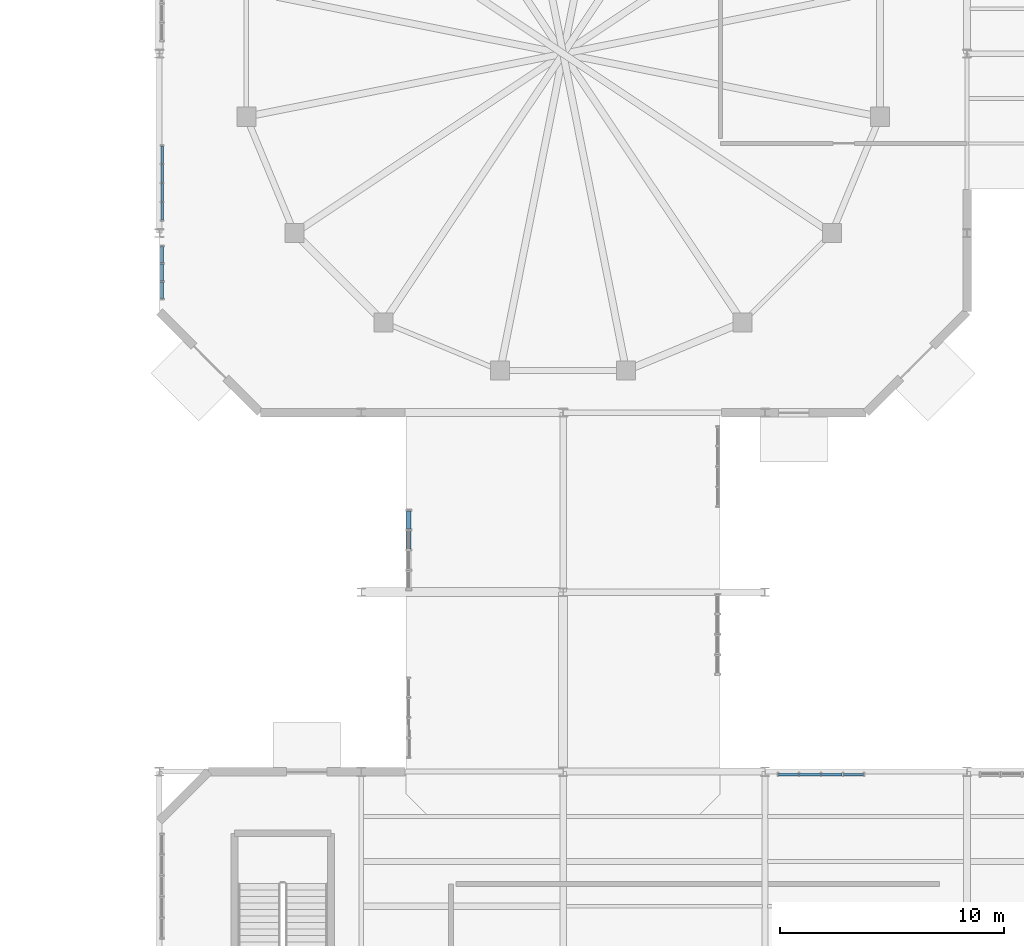
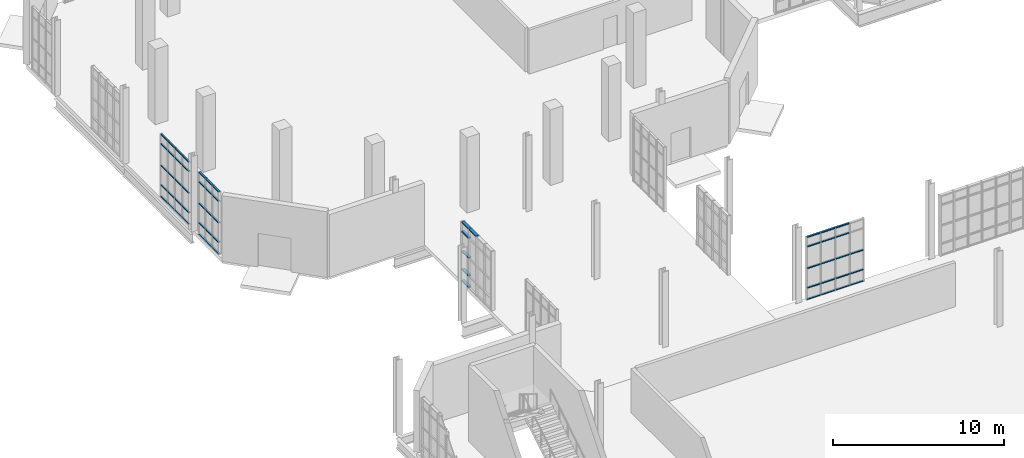
# One storey, part 116 of 189: 59 members, 4 elements without a shape of their own.
"""IFC4 building model written with IfcOpenShell, lengths in metres."""

from ifc_helpers import new_model, si_unit, direction, frame, origin, origin_2d, place, context, subcontext, project, spatial, hollow_rectangle, extrude, material, layer, layer_set, material_profile, profile_set, type_object, element, aggregate, save


model = new_model("IFC4")

# Units and contexts
model_context = context("Model", 3, precision=1e-05, world=origin(), true_north=direction((0.0, 1.0)))
body_context = subcontext(model_context, "Body", "Model", "MODEL_VIEW")
ifc_project = project(units=[si_unit("LENGTHUNIT", "METRE"), si_unit("AREAUNIT", "SQUARE_METRE"), si_unit("VOLUMEUNIT", "CUBIC_METRE"), si_unit("PLANEANGLEUNIT", "RADIAN"), si_unit("MASSUNIT", "GRAM", prefix="KILO"), si_unit("THERMODYNAMICTEMPERATUREUNIT", "KELVIN"), si_unit("POWERUNIT", "WATT")], contexts=[model_context])

# Site, building, storey
site_placement = place(None, origin())
site = spatial("IfcSite", under=ifc_project, at=site_placement, CompositionType="ELEMENT")
building_placement = place(site_placement, origin())
building = spatial("IfcBuilding", under=site, at=building_placement, Name="Zelmaris Science Centre", CompositionType="ELEMENT")
storey_placement = place(building_placement, origin())
storey = spatial("IfcBuildingStorey", under=building, at=storey_placement, Name="L00", CompositionType="ELEMENT", Elevation=0.0)

# Curtain wall, members
ifc_material = material(Name="Anodised architectural aluminium 6063-T6", Category="aluminium")
ifc_layer_1 = layer(ifc_material, 0.219970703125, Name="Anodised architectural aluminium 6063-T6")
ifc_layer_set_1 = layer_set([ifc_layer_1], Name="Anodised architectural aluminium 6063-T6")
curtain_wall_type_1 = type_object("IfcCurtainWallType", Name="Curtain Wall CW-04", PredefinedType="USERDEFINED", material=ifc_layer_set_1)
curtain_wall_1_placement = place(storey_placement, origin())
curtain_wall_1 = element("IfcCurtainWall", 1, at=curtain_wall_1_placement, inside=storey, type_object=curtain_wall_type_1, Name="L00 Unitised curtain wall 12", ObjectType="GLAZED CURTAIN WALL", PredefinedType="USERDEFINED")
ifc_material_profile_1 = material_profile(ifc_material, hollow_rectangle(XDim=0.06005859375, YDim=0.110107421875, WallThickness=0.0029296875, at=origin_2d()), Name="ALU-TRN-60X110")
ifc_profile_set_1 = profile_set([ifc_material_profile_1], Name="Anodised architectural aluminium 6063-T6")
member_type_1 = type_object("IfcMemberType", Name="ALU-TRN-60X110", PredefinedType="USERDEFINED", material=ifc_profile_set_1)
member_1_placement = place(storey_placement, frame((9.1201171875, 64.592041015625, 0.010986328125), z_axis=(0.0, 1.0, 0.0), x_axis=(0.0, 0.0, 1.0)))
member_1 = element("IfcMember", 2, at=member_1_placement, type_object=member_type_1, Name="CW-04 transom 1.1", ObjectType="TRANSOM", PredefinedType="USERDEFINED", context=body_context, shape_type="SweptSolid", body=[
    extrude(hollow_rectangle(XDim=0.06005859375, YDim=0.110107421875, WallThickness=0.0029296875, at=origin_2d()), origin(), (0.0, 0.0, 1.0), 0.77197265625),
])
member_2_placement = place(storey_placement, frame((9.1201171875, 64.592041015625, 0.8349609375), z_axis=(0.0, 1.0, 0.0), x_axis=(0.0, 0.0, 1.0)))
member_2 = element("IfcMember", 3, at=member_2_placement, type_object=member_type_1, Name="CW-04 transom 1.2", ObjectType="TRANSOM", PredefinedType="USERDEFINED", context=body_context, shape_type="SweptSolid", body=[
    extrude(hollow_rectangle(XDim=0.06005859375, YDim=0.110107421875, WallThickness=0.0029296875, at=origin_2d()), origin(), (0.0, 0.0, 1.0), 0.77197265625),
])
member_3_placement = place(storey_placement, frame((9.1201171875, 64.592041015625, 2.22900390625), z_axis=(0.0, 1.0, 0.0), x_axis=(0.0, 0.0, 1.0)))
member_3 = element("IfcMember", 4, at=member_3_placement, type_object=member_type_1, Name="CW-04 transom 1.3", ObjectType="TRANSOM", PredefinedType="USERDEFINED", context=body_context, shape_type="SweptSolid", body=[
    extrude(hollow_rectangle(XDim=0.06005859375, YDim=0.110107421875, WallThickness=0.0029296875, at=origin_2d()), origin(), (0.0, 0.0, 1.0), 0.77197265625),
])
member_4_placement = place(storey_placement, frame((9.1201171875, 64.592041015625, 3.77294921875), z_axis=(0.0, 1.0, 0.0), x_axis=(0.0, 0.0, 1.0)))
member_4 = element("IfcMember", 5, at=member_4_placement, type_object=member_type_1, Name="CW-04 transom 1.4", ObjectType="TRANSOM", PredefinedType="USERDEFINED", context=body_context, shape_type="SweptSolid", body=[
    extrude(hollow_rectangle(XDim=0.06005859375, YDim=0.110107421875, WallThickness=0.0029296875, at=origin_2d()), origin(), (0.0, 0.0, 1.0), 0.77197265625),
])
member_5_placement = place(storey_placement, frame((9.1201171875, 64.592041015625, 4.447021484375), z_axis=(0.0, 1.0, 0.0), x_axis=(0.0, 0.0, 1.0)))
member_5 = element("IfcMember", 6, at=member_5_placement, type_object=member_type_1, Name="CW-04 transom 1.5", ObjectType="TRANSOM", PredefinedType="USERDEFINED", context=body_context, shape_type="SweptSolid", body=[
    extrude(hollow_rectangle(XDim=0.06005859375, YDim=0.110107421875, WallThickness=0.0029296875, at=origin_2d()), origin(), (0.0, 0.0, 1.0), 0.77197265625),
])
member_6_placement = place(storey_placement, frame((9.1201171875, 65.416015625, 0.010986328125), z_axis=(0.0, 1.0, 0.0), x_axis=(0.0, 0.0, 1.0)))
member_6 = element("IfcMember", 7, at=member_6_placement, type_object=member_type_1, Name="CW-04 transom 2.1", ObjectType="TRANSOM", PredefinedType="USERDEFINED", context=body_context, shape_type="SweptSolid", body=[
    extrude(hollow_rectangle(XDim=0.06005859375, YDim=0.110107421875, WallThickness=0.0029296875, at=origin_2d()), origin(), (0.0, 0.0, 1.0), 0.798095703125),
])
member_7_placement = place(storey_placement, frame((9.1201171875, 65.416015625, 0.8349609375), z_axis=(0.0, 1.0, 0.0), x_axis=(0.0, 0.0, 1.0)))
member_7 = element("IfcMember", 8, at=member_7_placement, type_object=member_type_1, Name="CW-04 transom 2.2", ObjectType="TRANSOM", PredefinedType="USERDEFINED", context=body_context, shape_type="SweptSolid", body=[
    extrude(hollow_rectangle(XDim=0.06005859375, YDim=0.110107421875, WallThickness=0.0029296875, at=origin_2d()), origin(), (0.0, 0.0, 1.0), 0.798095703125),
])
member_8_placement = place(storey_placement, frame((9.1201171875, 65.416015625, 2.22900390625), z_axis=(0.0, 1.0, 0.0), x_axis=(0.0, 0.0, 1.0)))
member_8 = element("IfcMember", 9, at=member_8_placement, type_object=member_type_1, Name="CW-04 transom 2.3", ObjectType="TRANSOM", PredefinedType="USERDEFINED", context=body_context, shape_type="SweptSolid", body=[
    extrude(hollow_rectangle(XDim=0.06005859375, YDim=0.110107421875, WallThickness=0.0029296875, at=origin_2d()), origin(), (0.0, 0.0, 1.0), 0.798095703125),
])
member_9_placement = place(storey_placement, frame((9.1201171875, 65.416015625, 3.77294921875), z_axis=(0.0, 1.0, 0.0), x_axis=(0.0, 0.0, 1.0)))
member_9 = element("IfcMember", 10, at=member_9_placement, type_object=member_type_1, Name="CW-04 transom 2.4", ObjectType="TRANSOM", PredefinedType="USERDEFINED", context=body_context, shape_type="SweptSolid", body=[
    extrude(hollow_rectangle(XDim=0.06005859375, YDim=0.110107421875, WallThickness=0.0029296875, at=origin_2d()), origin(), (0.0, 0.0, 1.0), 0.798095703125),
])
member_10_placement = place(storey_placement, frame((9.1201171875, 65.416015625, 4.447021484375), z_axis=(0.0, 1.0, 0.0), x_axis=(0.0, 0.0, 1.0)))
member_10 = element("IfcMember", 11, at=member_10_placement, type_object=member_type_1, Name="CW-04 transom 2.5", ObjectType="TRANSOM", PredefinedType="USERDEFINED", context=body_context, shape_type="SweptSolid", body=[
    extrude(hollow_rectangle(XDim=0.06005859375, YDim=0.110107421875, WallThickness=0.0029296875, at=origin_2d()), origin(), (0.0, 0.0, 1.0), 0.798095703125),
])
member_11_placement = place(storey_placement, frame((9.1201171875, 66.26611328125, 0.010986328125), z_axis=(0.0, 1.0, 0.0), x_axis=(0.0, 0.0, 1.0)))
member_11 = element("IfcMember", 12, at=member_11_placement, type_object=member_type_1, Name="CW-04 transom 3.1", ObjectType="TRANSOM", PredefinedType="USERDEFINED", context=body_context, shape_type="SweptSolid", body=[
    extrude(hollow_rectangle(XDim=0.06005859375, YDim=0.110107421875, WallThickness=0.0029296875, at=origin_2d()), origin(), (0.0, 0.0, 1.0), 0.7978515625),
])
member_12_placement = place(storey_placement, frame((9.1201171875, 66.26611328125, 0.8349609375), z_axis=(0.0, 1.0, 0.0), x_axis=(0.0, 0.0, 1.0)))
member_12 = element("IfcMember", 13, at=member_12_placement, type_object=member_type_1, Name="CW-04 transom 3.2", ObjectType="TRANSOM", PredefinedType="USERDEFINED", context=body_context, shape_type="SweptSolid", body=[
    extrude(hollow_rectangle(XDim=0.06005859375, YDim=0.110107421875, WallThickness=0.0029296875, at=origin_2d()), origin(), (0.0, 0.0, 1.0), 0.7978515625),
])
member_13_placement = place(storey_placement, frame((9.1201171875, 66.26611328125, 2.22900390625), z_axis=(0.0, 1.0, 0.0), x_axis=(0.0, 0.0, 1.0)))
member_13 = element("IfcMember", 14, at=member_13_placement, type_object=member_type_1, Name="CW-04 transom 3.3", ObjectType="TRANSOM", PredefinedType="USERDEFINED", context=body_context, shape_type="SweptSolid", body=[
    extrude(hollow_rectangle(XDim=0.06005859375, YDim=0.110107421875, WallThickness=0.0029296875, at=origin_2d()), origin(), (0.0, 0.0, 1.0), 0.7978515625),
])
member_14_placement = place(storey_placement, frame((9.1201171875, 66.26611328125, 3.77294921875), z_axis=(0.0, 1.0, 0.0), x_axis=(0.0, 0.0, 1.0)))
member_14 = element("IfcMember", 15, at=member_14_placement, type_object=member_type_1, Name="CW-04 transom 3.4", ObjectType="TRANSOM", PredefinedType="USERDEFINED", context=body_context, shape_type="SweptSolid", body=[
    extrude(hollow_rectangle(XDim=0.06005859375, YDim=0.110107421875, WallThickness=0.0029296875, at=origin_2d()), origin(), (0.0, 0.0, 1.0), 0.7978515625),
])
member_15_placement = place(storey_placement, frame((9.1201171875, 66.26611328125, 4.447021484375), z_axis=(0.0, 1.0, 0.0), x_axis=(0.0, 0.0, 1.0)))
member_15 = element("IfcMember", 16, at=member_15_placement, type_object=member_type_1, Name="CW-04 transom 3.5", ObjectType="TRANSOM", PredefinedType="USERDEFINED", context=body_context, shape_type="SweptSolid", body=[
    extrude(hollow_rectangle(XDim=0.06005859375, YDim=0.110107421875, WallThickness=0.0029296875, at=origin_2d()), origin(), (0.0, 0.0, 1.0), 0.7978515625),
])
member_16_placement = place(storey_placement, frame((9.1201171875, 67.115966796875, 0.010986328125), z_axis=(0.0, 1.0, 0.0), x_axis=(0.0, 0.0, 1.0)))
member_16 = element("IfcMember", 17, at=member_16_placement, type_object=member_type_1, Name="CW-04 transom 4.1", ObjectType="TRANSOM", PredefinedType="USERDEFINED", context=body_context, shape_type="SweptSolid", body=[
    extrude(hollow_rectangle(XDim=0.06005859375, YDim=0.110107421875, WallThickness=0.0029296875, at=origin_2d()), origin(), (0.0, 0.0, 1.0), 0.77197265625),
])
member_17_placement = place(storey_placement, frame((9.1201171875, 67.115966796875, 0.8349609375), z_axis=(0.0, 1.0, 0.0), x_axis=(0.0, 0.0, 1.0)))
member_17 = element("IfcMember", 18, at=member_17_placement, type_object=member_type_1, Name="CW-04 transom 4.2", ObjectType="TRANSOM", PredefinedType="USERDEFINED", context=body_context, shape_type="SweptSolid", body=[
    extrude(hollow_rectangle(XDim=0.06005859375, YDim=0.110107421875, WallThickness=0.0029296875, at=origin_2d()), origin(), (0.0, 0.0, 1.0), 0.77197265625),
])
member_18_placement = place(storey_placement, frame((9.1201171875, 67.115966796875, 2.22900390625), z_axis=(0.0, 1.0, 0.0), x_axis=(0.0, 0.0, 1.0)))
member_18 = element("IfcMember", 19, at=member_18_placement, type_object=member_type_1, Name="CW-04 transom 4.3", ObjectType="TRANSOM", PredefinedType="USERDEFINED", context=body_context, shape_type="SweptSolid", body=[
    extrude(hollow_rectangle(XDim=0.06005859375, YDim=0.110107421875, WallThickness=0.0029296875, at=origin_2d()), origin(), (0.0, 0.0, 1.0), 0.77197265625),
])
member_19_placement = place(storey_placement, frame((9.1201171875, 67.115966796875, 3.77294921875), z_axis=(0.0, 1.0, 0.0), x_axis=(0.0, 0.0, 1.0)))
member_19 = element("IfcMember", 20, at=member_19_placement, type_object=member_type_1, Name="CW-04 transom 4.4", ObjectType="TRANSOM", PredefinedType="USERDEFINED", context=body_context, shape_type="SweptSolid", body=[
    extrude(hollow_rectangle(XDim=0.06005859375, YDim=0.110107421875, WallThickness=0.0029296875, at=origin_2d()), origin(), (0.0, 0.0, 1.0), 0.77197265625),
])
member_20_placement = place(storey_placement, frame((9.1201171875, 67.115966796875, 4.447021484375), z_axis=(0.0, 1.0, 0.0), x_axis=(0.0, 0.0, 1.0)))
member_20 = element("IfcMember", 21, at=member_20_placement, type_object=member_type_1, Name="CW-04 transom 4.5", ObjectType="TRANSOM", PredefinedType="USERDEFINED", context=body_context, shape_type="SweptSolid", body=[
    extrude(hollow_rectangle(XDim=0.06005859375, YDim=0.110107421875, WallThickness=0.0029296875, at=origin_2d()), origin(), (0.0, 0.0, 1.0), 0.77197265625),
])
aggregate(curtain_wall_1, [member_1, member_2, member_3, member_4, member_5, member_6, member_7, member_8, member_9, member_10, member_11, member_12, member_13, member_14, member_15, member_16, member_17, member_18, member_19, member_20])

ifc_layer_2 = layer(ifc_material, 0.2099609375, Name="Anodised architectural aluminium 6063-T6")
ifc_layer_set_2 = layer_set([ifc_layer_2], Name="Anodised architectural aluminium 6063-T6")
curtain_wall_type_2 = type_object("IfcCurtainWallType", Name="Curtain Wall CW-03", PredefinedType="USERDEFINED", material=ifc_layer_set_2)
curtain_wall_2_placement = place(storey_placement, origin())
curtain_wall_2 = element("IfcCurtainWall", 22, at=curtain_wall_2_placement, inside=storey, type_object=curtain_wall_type_2, Name="L00 Unitised curtain wall 11", ObjectType="GLAZED CURTAIN WALL", PredefinedType="USERDEFINED")
ifc_material_profile_2 = material_profile(ifc_material, hollow_rectangle(XDim=0.06494140625, YDim=0.1298828125, WallThickness=0.00341796875, at=origin_2d()), Name="ALU-TRN-65X130")
ifc_profile_set_2 = profile_set([ifc_material_profile_2], Name="Anodised architectural aluminium 6063-T6")
member_type_2 = type_object("IfcMemberType", Name="ALU-TRN-65X130", PredefinedType="USERDEFINED", material=ifc_profile_set_2)
member_21_placement = place(storey_placement, frame((9.1201171875, 61.096923828125, 0.013427734375), z_axis=(0.0, 1.0, 0.0), x_axis=(0.0, 0.0, 1.0)))
member_21 = element("IfcMember", 23, at=member_21_placement, type_object=member_type_2, Name="CW-03 transom 1.1", ObjectType="TRANSOM", PredefinedType="USERDEFINED", context=body_context, shape_type="SweptSolid", body=[
    extrude(hollow_rectangle(XDim=0.06494140625, YDim=0.1298828125, WallThickness=0.00341796875, at=origin_2d()), origin(), (0.0, 0.0, 1.0), 0.72119140625),
])
member_22_placement = place(storey_placement, frame((9.1201171875, 61.096923828125, 0.8349609375), z_axis=(0.0, 1.0, 0.0), x_axis=(0.0, 0.0, 1.0)))
member_22 = element("IfcMember", 24, at=member_22_placement, type_object=member_type_2, Name="CW-03 transom 1.2", ObjectType="TRANSOM", PredefinedType="USERDEFINED", context=body_context, shape_type="SweptSolid", body=[
    extrude(hollow_rectangle(XDim=0.06494140625, YDim=0.1298828125, WallThickness=0.00341796875, at=origin_2d()), origin(), (0.0, 0.0, 1.0), 0.72119140625),
])
member_23_placement = place(storey_placement, frame((9.1201171875, 61.096923828125, 2.22900390625), z_axis=(0.0, 1.0, 0.0), x_axis=(0.0, 0.0, 1.0)))
member_23 = element("IfcMember", 25, at=member_23_placement, type_object=member_type_2, Name="CW-03 transom 1.3", ObjectType="TRANSOM", PredefinedType="USERDEFINED", context=body_context, shape_type="SweptSolid", body=[
    extrude(hollow_rectangle(XDim=0.06494140625, YDim=0.1298828125, WallThickness=0.00341796875, at=origin_2d()), origin(), (0.0, 0.0, 1.0), 0.72119140625),
])
member_24_placement = place(storey_placement, frame((9.1201171875, 61.096923828125, 3.77294921875), z_axis=(0.0, 1.0, 0.0), x_axis=(0.0, 0.0, 1.0)))
member_24 = element("IfcMember", 26, at=member_24_placement, type_object=member_type_2, Name="CW-03 transom 1.4", ObjectType="TRANSOM", PredefinedType="USERDEFINED", context=body_context, shape_type="SweptSolid", body=[
    extrude(hollow_rectangle(XDim=0.06494140625, YDim=0.1298828125, WallThickness=0.00341796875, at=origin_2d()), origin(), (0.0, 0.0, 1.0), 0.72119140625),
])
member_25_placement = place(storey_placement, frame((9.1201171875, 61.096923828125, 4.444580078125), z_axis=(0.0, 1.0, 0.0), x_axis=(0.0, 0.0, 1.0)))
member_25 = element("IfcMember", 27, at=member_25_placement, type_object=member_type_2, Name="CW-03 transom 1.5", ObjectType="TRANSOM", PredefinedType="USERDEFINED", context=body_context, shape_type="SweptSolid", body=[
    extrude(hollow_rectangle(XDim=0.06494140625, YDim=0.1298828125, WallThickness=0.00341796875, at=origin_2d()), origin(), (0.0, 0.0, 1.0), 0.72119140625),
])
member_26_placement = place(storey_placement, frame((9.1201171875, 61.875244140625, 0.013427734375), z_axis=(0.0, 1.0, 0.0), x_axis=(0.0, 0.0, 1.0)))
member_26 = element("IfcMember", 28, at=member_26_placement, type_object=member_type_2, Name="CW-03 transom 2.1", ObjectType="TRANSOM", PredefinedType="USERDEFINED", context=body_context, shape_type="SweptSolid", body=[
    extrude(hollow_rectangle(XDim=0.06494140625, YDim=0.1298828125, WallThickness=0.00341796875, at=origin_2d()), origin(), (0.0, 0.0, 1.0), 0.74951171875),
])
member_27_placement = place(storey_placement, frame((9.1201171875, 61.875244140625, 0.8349609375), z_axis=(0.0, 1.0, 0.0), x_axis=(0.0, 0.0, 1.0)))
member_27 = element("IfcMember", 29, at=member_27_placement, type_object=member_type_2, Name="CW-03 transom 2.2", ObjectType="TRANSOM", PredefinedType="USERDEFINED", context=body_context, shape_type="SweptSolid", body=[
    extrude(hollow_rectangle(XDim=0.06494140625, YDim=0.1298828125, WallThickness=0.00341796875, at=origin_2d()), origin(), (0.0, 0.0, 1.0), 0.74951171875),
])
member_28_placement = place(storey_placement, frame((9.1201171875, 61.875244140625, 2.22900390625), z_axis=(0.0, 1.0, 0.0), x_axis=(0.0, 0.0, 1.0)))
member_28 = element("IfcMember", 30, at=member_28_placement, type_object=member_type_2, Name="CW-03 transom 2.3", ObjectType="TRANSOM", PredefinedType="USERDEFINED", context=body_context, shape_type="SweptSolid", body=[
    extrude(hollow_rectangle(XDim=0.06494140625, YDim=0.1298828125, WallThickness=0.00341796875, at=origin_2d()), origin(), (0.0, 0.0, 1.0), 0.74951171875),
])
member_29_placement = place(storey_placement, frame((9.1201171875, 61.875244140625, 3.77294921875), z_axis=(0.0, 1.0, 0.0), x_axis=(0.0, 0.0, 1.0)))
member_29 = element("IfcMember", 31, at=member_29_placement, type_object=member_type_2, Name="CW-03 transom 2.4", ObjectType="TRANSOM", PredefinedType="USERDEFINED", context=body_context, shape_type="SweptSolid", body=[
    extrude(hollow_rectangle(XDim=0.06494140625, YDim=0.1298828125, WallThickness=0.00341796875, at=origin_2d()), origin(), (0.0, 0.0, 1.0), 0.74951171875),
])
member_30_placement = place(storey_placement, frame((9.1201171875, 61.875244140625, 4.444580078125), z_axis=(0.0, 1.0, 0.0), x_axis=(0.0, 0.0, 1.0)))
member_30 = element("IfcMember", 32, at=member_30_placement, type_object=member_type_2, Name="CW-03 transom 2.5", ObjectType="TRANSOM", PredefinedType="USERDEFINED", context=body_context, shape_type="SweptSolid", body=[
    extrude(hollow_rectangle(XDim=0.06494140625, YDim=0.1298828125, WallThickness=0.00341796875, at=origin_2d()), origin(), (0.0, 0.0, 1.0), 0.74951171875),
])
member_31_placement = place(storey_placement, frame((9.1201171875, 62.681884765625, 0.013427734375), z_axis=(0.0, 1.0, 0.0), x_axis=(0.0, 0.0, 1.0)))
member_31 = element("IfcMember", 33, at=member_31_placement, type_object=member_type_2, Name="CW-03 transom 3.1", ObjectType="TRANSOM", PredefinedType="USERDEFINED", context=body_context, shape_type="SweptSolid", body=[
    extrude(hollow_rectangle(XDim=0.06494140625, YDim=0.1298828125, WallThickness=0.00341796875, at=origin_2d()), origin(), (0.0, 0.0, 1.0), 0.72119140625),
])
member_32_placement = place(storey_placement, frame((9.1201171875, 62.681884765625, 0.8349609375), z_axis=(0.0, 1.0, 0.0), x_axis=(0.0, 0.0, 1.0)))
member_32 = element("IfcMember", 34, at=member_32_placement, type_object=member_type_2, Name="CW-03 transom 3.2", ObjectType="TRANSOM", PredefinedType="USERDEFINED", context=body_context, shape_type="SweptSolid", body=[
    extrude(hollow_rectangle(XDim=0.06494140625, YDim=0.1298828125, WallThickness=0.00341796875, at=origin_2d()), origin(), (0.0, 0.0, 1.0), 0.72119140625),
])
member_33_placement = place(storey_placement, frame((9.1201171875, 62.681884765625, 2.22900390625), z_axis=(0.0, 1.0, 0.0), x_axis=(0.0, 0.0, 1.0)))
member_33 = element("IfcMember", 35, at=member_33_placement, type_object=member_type_2, Name="CW-03 transom 3.3", ObjectType="TRANSOM", PredefinedType="USERDEFINED", context=body_context, shape_type="SweptSolid", body=[
    extrude(hollow_rectangle(XDim=0.06494140625, YDim=0.1298828125, WallThickness=0.00341796875, at=origin_2d()), origin(), (0.0, 0.0, 1.0), 0.72119140625),
])
member_34_placement = place(storey_placement, frame((9.1201171875, 62.681884765625, 3.77294921875), z_axis=(0.0, 1.0, 0.0), x_axis=(0.0, 0.0, 1.0)))
member_34 = element("IfcMember", 36, at=member_34_placement, type_object=member_type_2, Name="CW-03 transom 3.4", ObjectType="TRANSOM", PredefinedType="USERDEFINED", context=body_context, shape_type="SweptSolid", body=[
    extrude(hollow_rectangle(XDim=0.06494140625, YDim=0.1298828125, WallThickness=0.00341796875, at=origin_2d()), origin(), (0.0, 0.0, 1.0), 0.72119140625),
])
member_35_placement = place(storey_placement, frame((9.1201171875, 62.681884765625, 4.444580078125), z_axis=(0.0, 1.0, 0.0), x_axis=(0.0, 0.0, 1.0)))
member_35 = element("IfcMember", 37, at=member_35_placement, type_object=member_type_2, Name="CW-03 transom 3.5", ObjectType="TRANSOM", PredefinedType="USERDEFINED", context=body_context, shape_type="SweptSolid", body=[
    extrude(hollow_rectangle(XDim=0.06494140625, YDim=0.1298828125, WallThickness=0.00341796875, at=origin_2d()), origin(), (0.0, 0.0, 1.0), 0.72119140625),
])
aggregate(curtain_wall_2, [member_21, member_22, member_23, member_24, member_25, member_26, member_27, member_28, member_29, member_30, member_31, member_32, member_33, member_34, member_35])

curtain_wall_3_placement = place(storey_placement, origin())
curtain_wall_3 = element("IfcCurtainWall", 38, at=curtain_wall_3_placement, inside=storey, type_object=curtain_wall_type_2, Name="L00 Unitised curtain wall 43", ObjectType="GLAZED CURTAIN WALL", PredefinedType="USERDEFINED")
member_36_placement = place(storey_placement, frame((36.596923828125, 39.8798828125, 0.013427734375), z_axis=(1.0, 0.0, 0.0), x_axis=(0.0, 0.0, 1.0)))
member_36 = element("IfcMember", 39, at=member_36_placement, type_object=member_type_2, Name="CW-03 transom 1.1", ObjectType="TRANSOM", PredefinedType="USERDEFINED", context=body_context, shape_type="SweptSolid", body=[
    extrude(hollow_rectangle(XDim=0.06494140625, YDim=0.1298828125, WallThickness=0.00341796875, at=origin_2d()), origin(), (0.0, 0.0, 1.0), 0.8896484375),
])
member_37_placement = place(storey_placement, frame((36.596923828125, 39.8798828125, 0.8349609375), z_axis=(1.0, 0.0, 0.0), x_axis=(0.0, 0.0, 1.0)))
member_37 = element("IfcMember", 40, at=member_37_placement, type_object=member_type_2, Name="CW-03 transom 1.2", ObjectType="TRANSOM", PredefinedType="USERDEFINED", context=body_context, shape_type="SweptSolid", body=[
    extrude(hollow_rectangle(XDim=0.06494140625, YDim=0.1298828125, WallThickness=0.00341796875, at=origin_2d()), origin(), (0.0, 0.0, 1.0), 0.8896484375),
])
member_38_placement = place(storey_placement, frame((36.596923828125, 39.8798828125, 2.235595703125), z_axis=(1.0, 0.0, 0.0), x_axis=(0.0, 0.0, 1.0)))
member_38 = element("IfcMember", 41, at=member_38_placement, type_object=member_type_2, Name="CW-03 transom 1.3", ObjectType="TRANSOM", PredefinedType="USERDEFINED", context=body_context, shape_type="SweptSolid", body=[
    extrude(hollow_rectangle(XDim=0.06494140625, YDim=0.1298828125, WallThickness=0.00341796875, at=origin_2d()), origin(), (0.0, 0.0, 1.0), 0.8896484375),
])
member_39_placement = place(storey_placement, frame((36.596923828125, 39.8798828125, 3.785888671875), z_axis=(1.0, 0.0, 0.0), x_axis=(0.0, 0.0, 1.0)))
member_39 = element("IfcMember", 42, at=member_39_placement, type_object=member_type_2, Name="CW-03 transom 1.4", ObjectType="TRANSOM", PredefinedType="USERDEFINED", context=body_context, shape_type="SweptSolid", body=[
    extrude(hollow_rectangle(XDim=0.06494140625, YDim=0.1298828125, WallThickness=0.00341796875, at=origin_2d()), origin(), (0.0, 0.0, 1.0), 0.8896484375),
])
member_40_placement = place(storey_placement, frame((36.596923828125, 39.8798828125, 4.45751953125), z_axis=(1.0, 0.0, 0.0), x_axis=(0.0, 0.0, 1.0)))
member_40 = element("IfcMember", 43, at=member_40_placement, type_object=member_type_2, Name="CW-03 transom 1.5", ObjectType="TRANSOM", PredefinedType="USERDEFINED", context=body_context, shape_type="SweptSolid", body=[
    extrude(hollow_rectangle(XDim=0.06494140625, YDim=0.1298828125, WallThickness=0.00341796875, at=origin_2d()), origin(), (0.0, 0.0, 1.0), 0.8896484375),
])
member_41_placement = place(storey_placement, frame((37.54345703125, 39.8798828125, 0.013427734375), z_axis=(1.0, 0.0, 0.0), x_axis=(0.0, 0.0, 1.0)))
member_41 = element("IfcMember", 44, at=member_41_placement, type_object=member_type_2, Name="CW-03 transom 2.1", ObjectType="TRANSOM", PredefinedType="USERDEFINED", context=body_context, shape_type="SweptSolid", body=[
    extrude(hollow_rectangle(XDim=0.06494140625, YDim=0.1298828125, WallThickness=0.00341796875, at=origin_2d()), origin(), (0.0, 0.0, 1.0), 0.91796875),
])
member_42_placement = place(storey_placement, frame((37.54345703125, 39.8798828125, 0.8349609375), z_axis=(1.0, 0.0, 0.0), x_axis=(0.0, 0.0, 1.0)))
member_42 = element("IfcMember", 45, at=member_42_placement, type_object=member_type_2, Name="CW-03 transom 2.2", ObjectType="TRANSOM", PredefinedType="USERDEFINED", context=body_context, shape_type="SweptSolid", body=[
    extrude(hollow_rectangle(XDim=0.06494140625, YDim=0.1298828125, WallThickness=0.00341796875, at=origin_2d()), origin(), (0.0, 0.0, 1.0), 0.91796875),
])
member_43_placement = place(storey_placement, frame((37.54345703125, 39.8798828125, 2.235595703125), z_axis=(1.0, 0.0, 0.0), x_axis=(0.0, 0.0, 1.0)))
member_43 = element("IfcMember", 46, at=member_43_placement, type_object=member_type_2, Name="CW-03 transom 2.3", ObjectType="TRANSOM", PredefinedType="USERDEFINED", context=body_context, shape_type="SweptSolid", body=[
    extrude(hollow_rectangle(XDim=0.06494140625, YDim=0.1298828125, WallThickness=0.00341796875, at=origin_2d()), origin(), (0.0, 0.0, 1.0), 0.91796875),
])
member_44_placement = place(storey_placement, frame((37.54345703125, 39.8798828125, 3.785888671875), z_axis=(1.0, 0.0, 0.0), x_axis=(0.0, 0.0, 1.0)))
member_44 = element("IfcMember", 47, at=member_44_placement, type_object=member_type_2, Name="CW-03 transom 2.4", ObjectType="TRANSOM", PredefinedType="USERDEFINED", context=body_context, shape_type="SweptSolid", body=[
    extrude(hollow_rectangle(XDim=0.06494140625, YDim=0.1298828125, WallThickness=0.00341796875, at=origin_2d()), origin(), (0.0, 0.0, 1.0), 0.91796875),
])
member_45_placement = place(storey_placement, frame((37.54345703125, 39.8798828125, 4.45751953125), z_axis=(1.0, 0.0, 0.0), x_axis=(0.0, 0.0, 1.0)))
member_45 = element("IfcMember", 48, at=member_45_placement, type_object=member_type_2, Name="CW-03 transom 2.5", ObjectType="TRANSOM", PredefinedType="USERDEFINED", context=body_context, shape_type="SweptSolid", body=[
    extrude(hollow_rectangle(XDim=0.06494140625, YDim=0.1298828125, WallThickness=0.00341796875, at=origin_2d()), origin(), (0.0, 0.0, 1.0), 0.91796875),
])
member_46_placement = place(storey_placement, frame((38.5185546875, 39.8798828125, 0.013427734375), z_axis=(1.0, 0.0, 0.0), x_axis=(0.0, 0.0, 1.0)))
member_46 = element("IfcMember", 49, at=member_46_placement, type_object=member_type_2, Name="CW-03 transom 3.1", ObjectType="TRANSOM", PredefinedType="USERDEFINED", context=body_context, shape_type="SweptSolid", body=[
    extrude(hollow_rectangle(XDim=0.06494140625, YDim=0.1298828125, WallThickness=0.00341796875, at=origin_2d()), origin(), (0.0, 0.0, 1.0), 0.91796875),
])
member_47_placement = place(storey_placement, frame((38.5185546875, 39.8798828125, 0.8349609375), z_axis=(1.0, 0.0, 0.0), x_axis=(0.0, 0.0, 1.0)))
member_47 = element("IfcMember", 50, at=member_47_placement, type_object=member_type_2, Name="CW-03 transom 3.2", ObjectType="TRANSOM", PredefinedType="USERDEFINED", context=body_context, shape_type="SweptSolid", body=[
    extrude(hollow_rectangle(XDim=0.06494140625, YDim=0.1298828125, WallThickness=0.00341796875, at=origin_2d()), origin(), (0.0, 0.0, 1.0), 0.91796875),
])
member_48_placement = place(storey_placement, frame((38.5185546875, 39.8798828125, 2.235595703125), z_axis=(1.0, 0.0, 0.0), x_axis=(0.0, 0.0, 1.0)))
member_48 = element("IfcMember", 51, at=member_48_placement, type_object=member_type_2, Name="CW-03 transom 3.3", ObjectType="TRANSOM", PredefinedType="USERDEFINED", context=body_context, shape_type="SweptSolid", body=[
    extrude(hollow_rectangle(XDim=0.06494140625, YDim=0.1298828125, WallThickness=0.00341796875, at=origin_2d()), origin(), (0.0, 0.0, 1.0), 0.91796875),
])
member_49_placement = place(storey_placement, frame((38.5185546875, 39.8798828125, 3.785888671875), z_axis=(1.0, 0.0, 0.0), x_axis=(0.0, 0.0, 1.0)))
member_49 = element("IfcMember", 52, at=member_49_placement, type_object=member_type_2, Name="CW-03 transom 3.4", ObjectType="TRANSOM", PredefinedType="USERDEFINED", context=body_context, shape_type="SweptSolid", body=[
    extrude(hollow_rectangle(XDim=0.06494140625, YDim=0.1298828125, WallThickness=0.00341796875, at=origin_2d()), origin(), (0.0, 0.0, 1.0), 0.91796875),
])
member_50_placement = place(storey_placement, frame((38.5185546875, 39.8798828125, 4.45751953125), z_axis=(1.0, 0.0, 0.0), x_axis=(0.0, 0.0, 1.0)))
member_50 = element("IfcMember", 53, at=member_50_placement, type_object=member_type_2, Name="CW-03 transom 3.5", ObjectType="TRANSOM", PredefinedType="USERDEFINED", context=body_context, shape_type="SweptSolid", body=[
    extrude(hollow_rectangle(XDim=0.06494140625, YDim=0.1298828125, WallThickness=0.00341796875, at=origin_2d()), origin(), (0.0, 0.0, 1.0), 0.91796875),
])
member_51_placement = place(storey_placement, frame((39.493408203125, 39.8798828125, 0.013427734375), z_axis=(1.0, 0.0, 0.0), x_axis=(0.0, 0.0, 1.0)))
member_51 = element("IfcMember", 54, at=member_51_placement, type_object=member_type_2, Name="CW-03 transom 4.1", ObjectType="TRANSOM", PredefinedType="USERDEFINED", context=body_context, shape_type="SweptSolid", body=[
    extrude(hollow_rectangle(XDim=0.06494140625, YDim=0.1298828125, WallThickness=0.00341796875, at=origin_2d()), origin(), (0.0, 0.0, 1.0), 0.8896484375),
])
member_52_placement = place(storey_placement, frame((39.493408203125, 39.8798828125, 0.8349609375), z_axis=(1.0, 0.0, 0.0), x_axis=(0.0, 0.0, 1.0)))
member_52 = element("IfcMember", 55, at=member_52_placement, type_object=member_type_2, Name="CW-03 transom 4.2", ObjectType="TRANSOM", PredefinedType="USERDEFINED", context=body_context, shape_type="SweptSolid", body=[
    extrude(hollow_rectangle(XDim=0.06494140625, YDim=0.1298828125, WallThickness=0.00341796875, at=origin_2d()), origin(), (0.0, 0.0, 1.0), 0.8896484375),
])
member_53_placement = place(storey_placement, frame((39.493408203125, 39.8798828125, 2.235595703125), z_axis=(1.0, 0.0, 0.0), x_axis=(0.0, 0.0, 1.0)))
member_53 = element("IfcMember", 56, at=member_53_placement, type_object=member_type_2, Name="CW-03 transom 4.3", ObjectType="TRANSOM", PredefinedType="USERDEFINED", context=body_context, shape_type="SweptSolid", body=[
    extrude(hollow_rectangle(XDim=0.06494140625, YDim=0.1298828125, WallThickness=0.00341796875, at=origin_2d()), origin(), (0.0, 0.0, 1.0), 0.8896484375),
])
aggregate(curtain_wall_3, [member_36, member_37, member_38, member_39, member_40, member_41, member_42, member_43, member_44, member_45, member_46, member_47, member_48, member_49, member_50, member_51, member_52, member_53])

ifc_layer_3 = layer(ifc_material, 0.18994140625, Name="Anodised architectural aluminium 6063-T6")
ifc_layer_set_3 = layer_set([ifc_layer_3], Name="Anodised architectural aluminium 6063-T6")
curtain_wall_type_3 = type_object("IfcCurtainWallType", Name="Curtain Wall CW-01", PredefinedType="USERDEFINED", material=ifc_layer_set_3)
curtain_wall_4_placement = place(storey_placement, origin())
curtain_wall_4 = element("IfcCurtainWall", 57, at=curtain_wall_4_placement, inside=storey, type_object=curtain_wall_type_3, Name="L00 Unitised curtain wall 9", ObjectType="GLAZED CURTAIN WALL", PredefinedType="USERDEFINED")
ifc_material_profile_3 = material_profile(ifc_material, hollow_rectangle(XDim=0.080078125, YDim=0.18994140625, WallThickness=0.00439453125, at=origin_2d()), Name="ALU-TRN-80X190")
ifc_profile_set_3 = profile_set([ifc_material_profile_3], Name="Anodised architectural aluminium 6063-T6")
member_type_3 = type_object("IfcMemberType", Name="ALU-TRN-80X190", PredefinedType="USERDEFINED", material=ifc_profile_set_3)
member_54_placement = place(storey_placement, frame((20.115478515625, 49.91650390625, 4.197998046875), z_axis=(-0.000293169146, 0.999999957026, 0.0), x_axis=(0.0, 0.0, 1.0)))
member_54 = element("IfcMember", 58, at=member_54_placement, type_object=member_type_3, Name="CW-01 transom 3.5", ObjectType="TRANSOM", PredefinedType="USERDEFINED", context=body_context, shape_type="SweptSolid", body=[
    extrude(hollow_rectangle(XDim=0.080078125, YDim=0.18994140625, WallThickness=0.00439453125, at=origin_2d()), origin(), (0.0, 0.0, 1.0), 0.832763671875),
])
member_55_placement = place(storey_placement, frame((20.114990234375, 50.8212890625, 0.02099609375), z_axis=(-0.000306466428, 0.999999953039, 0.0), x_axis=(0.0, 0.0, 1.0)))
member_55 = element("IfcMember", 59, at=member_55_placement, type_object=member_type_3, Name="CW-01 transom 4.1", ObjectType="TRANSOM", PredefinedType="USERDEFINED", context=body_context, shape_type="SweptSolid", body=[
    extrude(hollow_rectangle(XDim=0.080078125, YDim=0.18994140625, WallThickness=0.00439453125, at=origin_2d()), origin(), (0.0, 0.0, 1.0), 0.796630859375),
])
member_56_placement = place(storey_placement, frame((20.114990234375, 50.8212890625, 0.8349609375), z_axis=(-0.000306466428, 0.999999953039, 0.0), x_axis=(0.0, 0.0, 1.0)))
member_56 = element("IfcMember", 60, at=member_56_placement, type_object=member_type_3, Name="CW-01 transom 4.2", ObjectType="TRANSOM", PredefinedType="USERDEFINED", context=body_context, shape_type="SweptSolid", body=[
    extrude(hollow_rectangle(XDim=0.080078125, YDim=0.18994140625, WallThickness=0.00439453125, at=origin_2d()), origin(), (0.0, 0.0, 1.0), 0.796630859375),
])
member_57_placement = place(storey_placement, frame((20.114990234375, 50.8212890625, 2.109619140625), z_axis=(-0.000306466428, 0.999999953039, 0.0), x_axis=(0.0, 0.0, 1.0)))
member_57 = element("IfcMember", 61, at=member_57_placement, type_object=member_type_3, Name="CW-01 transom 4.3", ObjectType="TRANSOM", PredefinedType="USERDEFINED", context=body_context, shape_type="SweptSolid", body=[
    extrude(hollow_rectangle(XDim=0.080078125, YDim=0.18994140625, WallThickness=0.00439453125, at=origin_2d()), origin(), (0.0, 0.0, 1.0), 0.796630859375),
])
member_58_placement = place(storey_placement, frame((20.114990234375, 50.8212890625, 3.533935546875), z_axis=(-0.000306466428, 0.999999953039, 0.0), x_axis=(0.0, 0.0, 1.0)))
member_58 = element("IfcMember", 62, at=member_58_placement, type_object=member_type_3, Name="CW-01 transom 4.4", ObjectType="TRANSOM", PredefinedType="USERDEFINED", context=body_context, shape_type="SweptSolid", body=[
    extrude(hollow_rectangle(XDim=0.080078125, YDim=0.18994140625, WallThickness=0.00439453125, at=origin_2d()), origin(), (0.0, 0.0, 1.0), 0.796630859375),
])
member_59_placement = place(storey_placement, frame((20.114990234375, 50.8212890625, 4.197998046875), z_axis=(-0.000306466428, 0.999999953039, 0.0), x_axis=(0.0, 0.0, 1.0)))
member_59 = element("IfcMember", 63, at=member_59_placement, type_object=member_type_3, Name="CW-01 transom 4.5", ObjectType="TRANSOM", PredefinedType="USERDEFINED", context=body_context, shape_type="SweptSolid", body=[
    extrude(hollow_rectangle(XDim=0.080078125, YDim=0.18994140625, WallThickness=0.00439453125, at=origin_2d()), origin(), (0.0, 0.0, 1.0), 0.796630859375),
])
aggregate(curtain_wall_4, [member_54, member_55, member_56, member_57, member_58, member_59])

save(model, "model.ifc")
